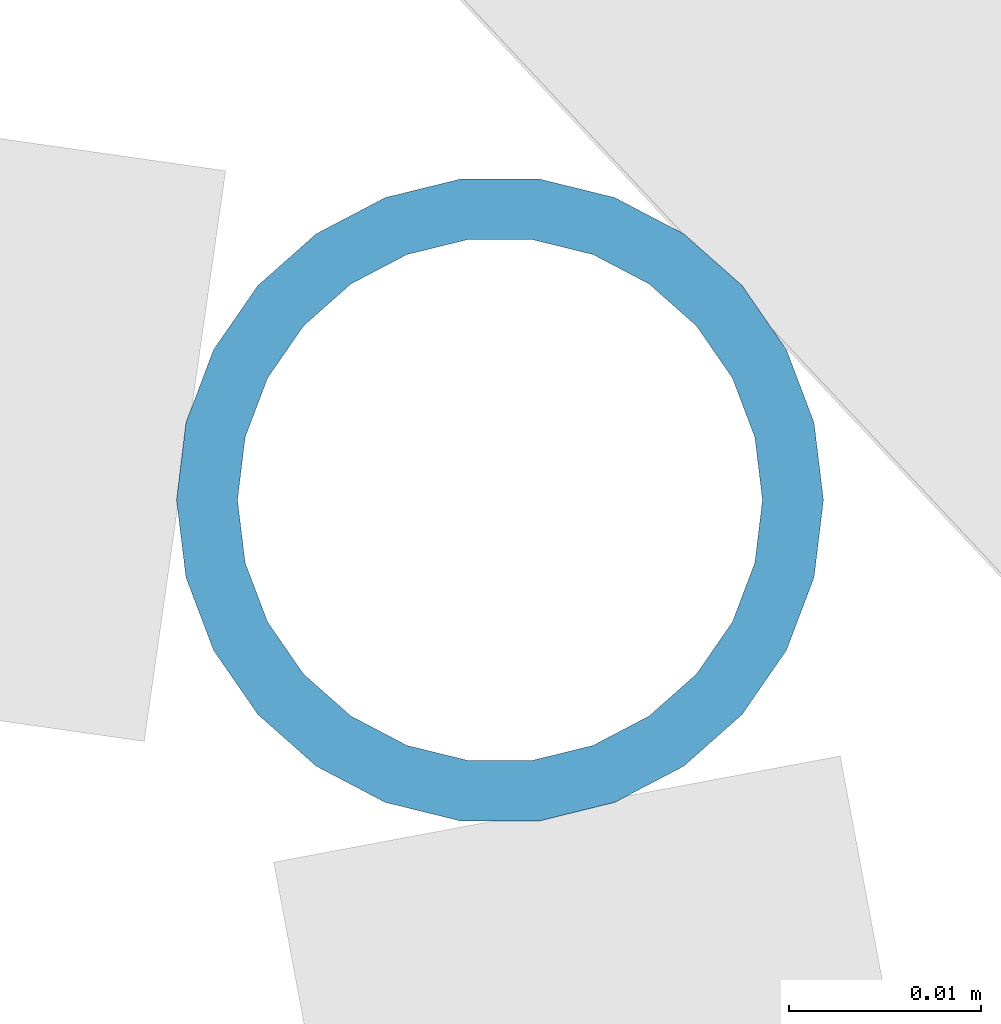
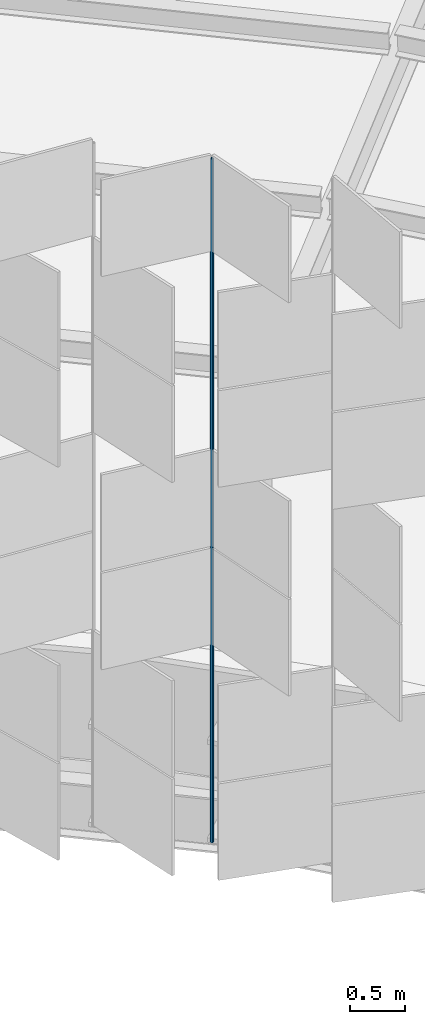
# One storey, part 268 of 483: 1 discrete accessory.
"""IFC4 building model written with IfcOpenShell, lengths in metres."""

from ifc_helpers import new_model, si_unit, direction, frame, origin, origin_2d, place, context, subcontext, project, spatial, hollow_circle, extrude, material, material_profile, profile_set, type_object, element, save


model = new_model("IFC4")

# Units and contexts
model_context = context("Model", 3, precision=1e-05, world=origin(), true_north=direction((0.0, 1.0)))
body_context = subcontext(model_context, "Body", "Model", "MODEL_VIEW")
ifc_project = project(units=[si_unit("LENGTHUNIT", "METRE"), si_unit("AREAUNIT", "SQUARE_METRE"), si_unit("VOLUMEUNIT", "CUBIC_METRE"), si_unit("PLANEANGLEUNIT", "RADIAN"), si_unit("MASSUNIT", "GRAM", prefix="KILO")], contexts=[model_context])

# Site, building, storey
site_placement = place(None, origin())
site = spatial("IfcSite", under=ifc_project, at=site_placement, CompositionType="ELEMENT")
building_placement = place(site_placement, origin())
building = spatial("IfcBuilding", under=site, at=building_placement, Name="Parallax Yard Mobility Hub", CompositionType="ELEMENT")
storey_placement = place(building_placement, frame((0.0, 0.0, 13.199951171875)))
storey = spatial("IfcBuildingStorey", under=building, at=storey_placement, Name="L04", CompositionType="ELEMENT", Elevation=13.199951171875)

# Discrete accessory
ifc_material = material(Name="Steel ASTM A500 Gr C, hot-dip galvanised", Category="steel")
ifc_material_profile = material_profile(ifc_material, hollow_circle(Radius=0.016845703125, WallThickness=0.003173828125, at=origin_2d()), Name="CHS 33.7x3.2")
ifc_profile_set = profile_set([ifc_material_profile], Name="Steel ASTM A500 Gr C, hot-dip galvanised")
discrete_accessory_type = type_object("IfcDiscreteAccessoryType", Name="Hinge post CHS 33.7x3.2", PredefinedType="BRACKET", material=ifc_profile_set)
discrete_accessory_placement = place(storey_placement, frame((187.68701171875, 105.218994140625, 0.0), z_axis=(0.0, 0.0, 1.0), x_axis=(1.0, 0.0, 0.0)))
element("IfcDiscreteAccessory", 1, at=discrete_accessory_placement, inside=storey, type_object=discrete_accessory_type, Name="Hinge post bay 20.4 level L04", PredefinedType="BRACKET", context=body_context, shape_type="SweptSolid", body=[
    extrude(hollow_circle(Radius=0.016845703125, WallThickness=0.003173828125, at=origin_2d()), origin(), (0.0, 0.0, 1.0), 7.650146484375),
])

save(model, "model.ifc")
